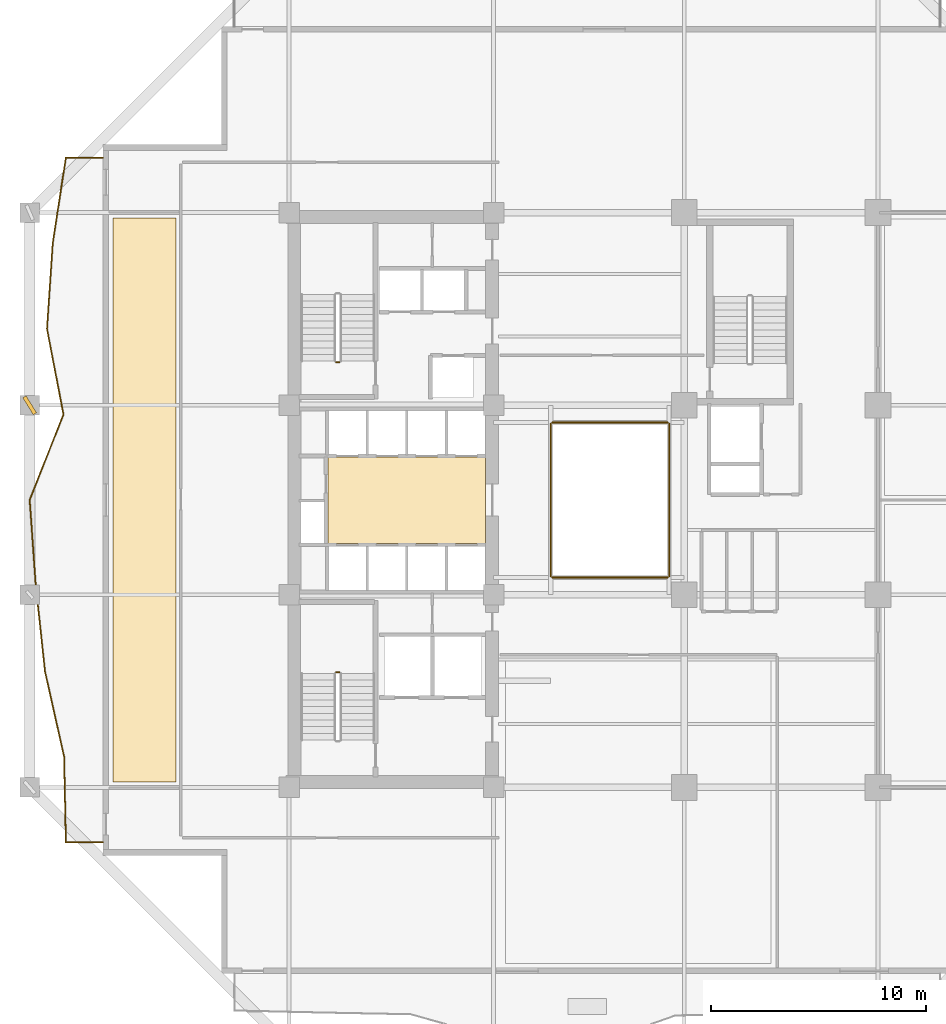
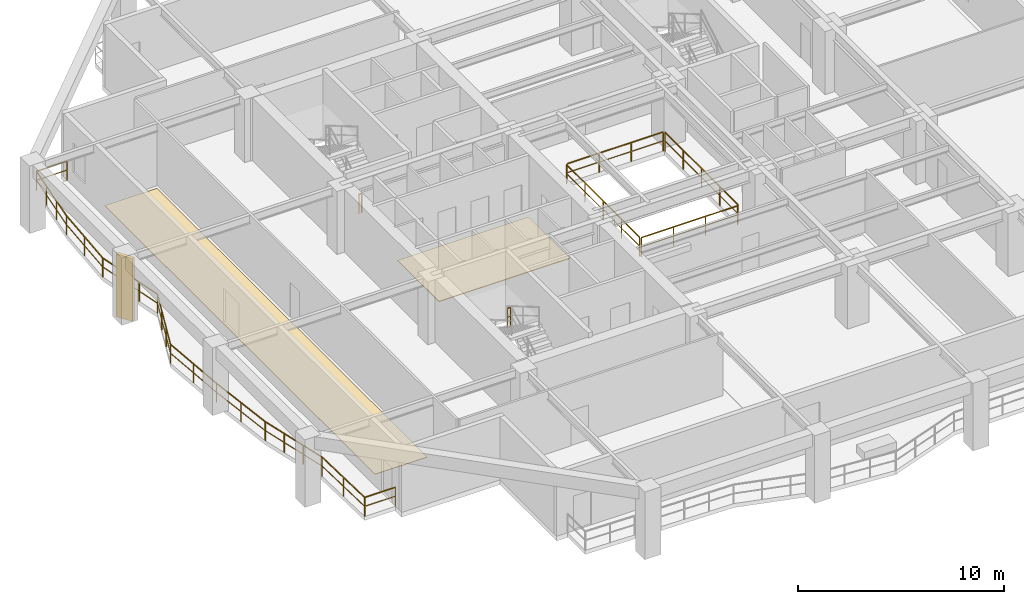
# One storey, part 8 of 13: 7 railings, 2 coverings, 1 shading device.
"""IFC4 building model written with IfcOpenShell, lengths in metres."""

from ifc_helpers import new_model, si_unit, direction, frame, origin, origin_2d, place, context, subcontext, project, spatial, polyline, rectangle, outline, extrude, material, layer, layer_set, type_object, element, save


model = new_model("IFC4")

# Units and contexts
model_context = context("Model", 3, precision=1e-05, world=origin(), true_north=direction((0.0, 1.0)))
body_context = subcontext(model_context, "Body", "Model", "MODEL_VIEW")
ifc_project = project(units=[si_unit("LENGTHUNIT", "METRE"), si_unit("AREAUNIT", "SQUARE_METRE"), si_unit("VOLUMEUNIT", "CUBIC_METRE"), si_unit("PLANEANGLEUNIT", "RADIAN"), si_unit("MASSUNIT", "GRAM", prefix="KILO")], contexts=[model_context])

# Site, building, storey
site_placement = place(None, origin())
site = spatial("IfcSite", under=ifc_project, at=site_placement, CompositionType="ELEMENT")
building_placement = place(site_placement, origin())
building = spatial("IfcBuilding", under=site, at=building_placement, Name="Kundavana Baori Tower", CompositionType="ELEMENT")
storey_placement = place(building_placement, frame((0.0, 0.0, 34.0)))
storey = spatial("IfcBuildingStorey", under=building, at=storey_placement, Name="L07", CompositionType="ELEMENT", Elevation=34.0)

# Coverings
ifc_material_1 = material(Name="Honed Kota Stone and Terrazzo Flooring", Category="masonry")
ifc_layer_1 = layer(ifc_material_1, 0.0400390625, Name="COV-FLR-TERR-40")
ifc_layer_set_1 = layer_set([ifc_layer_1], Name="Honed Kota Stone and Terrazzo Flooring")
covering_type_1 = type_object("IfcCoveringType", Name="COV-FLR-TERR-40", PredefinedType="FLOORING", material=ifc_layer_set_1)
covering_1_placement = place(storey_placement, origin())
element("IfcCovering", 1, at=covering_1_placement, inside=storey, type_object=covering_type_1, Name="L07 Core Lift Lobby Kota Stone Flooring", PredefinedType="FLOORING", context=body_context, shape_type="SweptSolid", body=[
    extrude(outline(polyline([(17.25, 26.580078125), (24.580078125, 26.580078125), (24.580078125, 30.60009765625), (17.25, 30.60009765625), (17.25, 26.580078125)])), origin(), (0.0, 0.0, 1.0), 0.0400390625),
])
ifc_material_2 = material(Name="Honed Kota Stone and Terrazzo Flooring", Category="masonry")
ifc_layer_2 = layer(ifc_material_2, 0.030029296875, Name="COV-INT-FLR")
ifc_layer_set_2 = layer_set([ifc_layer_2], Name="Honed Kota Stone and Terrazzo Flooring")
covering_type_2 = type_object("IfcCoveringType", Name="COV-INT-FLR", PredefinedType="FLOORING", material=ifc_layer_set_2)
covering_2_placement = place(storey_placement, origin())
element("IfcCovering", 2, at=covering_2_placement, inside=storey, type_object=covering_type_2, Name="L07 Room Finished Stone Flooring 1", PredefinedType="FLOORING", context=body_context, shape_type="SweptSolid", body=[
    extrude(outline(polyline([(7.280029296875, 15.5), (10.199951171875, 15.5), (10.199951171875, 41.699951171875), (7.280029296875, 41.699951171875), (7.280029296875, 15.5)])), origin(), (0.0, 0.0, 1.0), 0.030029296875),
])

# Railings
ifc_material_3 = material(Name="Architectural Patinated Bronze Metalwork")
railing_type_1 = type_object("IfcRailingType", Name="RL-BAL-1150", PredefinedType="BALUSTRADE", material=ifc_material_3)
railing_1_placement = place(storey_placement, frame((6.800048828125, 12.699951171875, 0.0)))
element("IfcRailing", 3, at=railing_1_placement, inside=storey, type_object=railing_type_1, Name="L07 Loggia Balcony Balustrade W", PredefinedType="BALUSTRADE", context=body_context, shape_type="SweptSolid", body=[
    extrude(rectangle(XDim=0.048095703125, YDim=0.048095703125, at=origin_2d()), frame((0.0, 0.0, 1.1259765625), z_axis=(-1.0, 0.0, 0.0), x_axis=(0.0, -1.0, 0.0)), (0.0, 0.0, 1.0), 1.719970703125),
    extrude(rectangle(XDim=0.03125, YDim=0.03125, at=origin_2d()), frame((0.0, 0.0, 0.597900390625), z_axis=(-1.0, 0.0, 0.0), x_axis=(0.0, -1.0, 0.0)), (0.0, 0.0, 1.0), 1.719970703125),
    extrude(rectangle(XDim=0.048095703125, YDim=0.048095703125, at=origin_2d()), frame((-1.719970703125, 0.0, 1.1259765625), z_axis=(-0.021122911738, 0.99977688641, 0.0), x_axis=(-0.99977688641, -0.021122911738, 0.0)), (0.0, 0.0, 1.0), 3.97607421875),
    extrude(rectangle(XDim=0.03125, YDim=0.03125, at=origin_2d()), frame((-1.719970703125, 0.0, 0.597900390625), z_axis=(-0.021122911738, 0.99977688641, 0.0), x_axis=(-0.99977688641, -0.021122911738, 0.0)), (0.0, 0.0, 1.0), 3.97607421875),
    extrude(rectangle(XDim=0.048095703125, YDim=0.048095703125, at=origin_2d()), frame((-1.803955078125, 3.97509765625, 1.1259765625), z_axis=(-0.218072752943, 0.975932515302, 0.0), x_axis=(-0.975932515302, -0.218072752943, 0.0)), (0.0, 0.0, 1.0), 4.072998046875),
    extrude(rectangle(XDim=0.03125, YDim=0.03125, at=origin_2d()), frame((-1.803955078125, 3.97509765625, 0.597900390625), z_axis=(-0.218072752943, 0.975932515302, 0.0), x_axis=(-0.975932515302, -0.218072752943, 0.0)), (0.0, 0.0, 1.0), 4.072998046875),
    extrude(rectangle(XDim=0.048095703125, YDim=0.048095703125, at=origin_2d()), frame((-2.692138671875, 7.949951171875, 1.1259765625), z_axis=(-0.106563310947, 0.994305919101, 0.0), x_axis=(-0.994305919101, -0.106563310947, 0.0)), (0.0, 0.0, 1.0), 3.997802734375),
    extrude(rectangle(XDim=0.03125, YDim=0.03125, at=origin_2d()), frame((-2.692138671875, 7.949951171875, 0.597900390625), z_axis=(-0.106563310947, 0.994305919101, 0.0), x_axis=(-0.994305919101, -0.106563310947, 0.0)), (0.0, 0.0, 1.0), 3.997802734375),
    extrude(rectangle(XDim=0.048095703125, YDim=0.048095703125, at=origin_2d()), frame((-3.1181640625, 11.925048828125, 1.1259765625), z_axis=(-0.070759420793, 0.99749341069, 0.0), x_axis=(-0.99749341069, -0.070759420793, 0.0)), (0.0, 0.0, 1.0), 3.985107421875),
    extrude(rectangle(XDim=0.03125, YDim=0.03125, at=origin_2d()), frame((-3.1181640625, 11.925048828125, 0.597900390625), z_axis=(-0.070759420793, 0.99749341069, 0.0), x_axis=(-0.99749341069, -0.070759420793, 0.0)), (0.0, 0.0, 1.0), 3.985107421875),
    extrude(rectangle(XDim=0.048095703125, YDim=0.048095703125, at=origin_2d()), frame((-3.400146484375, 15.900146484375, 1.1259765625), z_axis=(0.366785315707, 0.930305612249, 0.0), x_axis=(-0.930305612249, 0.366785315707, 0.0)), (0.0, 0.0, 1.0), 4.272705078125),
    extrude(rectangle(XDim=0.03125, YDim=0.03125, at=origin_2d()), frame((-3.400146484375, 15.900146484375, 0.597900390625), z_axis=(0.366785315707, 0.930305612249, 0.0), x_axis=(-0.930305612249, 0.366785315707, 0.0)), (0.0, 0.0, 1.0), 4.272705078125),
    extrude(rectangle(XDim=0.048095703125, YDim=0.048095703125, at=origin_2d()), frame((-1.8330078125, 19.875, 1.1259765625), z_axis=(-0.189012922049, 0.981974600129, 0.0), x_axis=(-0.981974600129, -0.189012922049, 0.0)), (0.0, 0.0, 1.0), 4.048095703125),
    extrude(rectangle(XDim=0.03125, YDim=0.03125, at=origin_2d()), frame((-1.8330078125, 19.875, 0.597900390625), z_axis=(-0.189012922049, 0.981974600129, 0.0), x_axis=(-0.981974600129, -0.189012922049, 0.0)), (0.0, 0.0, 1.0), 4.048095703125),
    extrude(rectangle(XDim=0.048095703125, YDim=0.048095703125, at=origin_2d()), frame((-2.59814453125, 23.85009765625, 1.1259765625), z_axis=(0.067043703916, 0.997750039722, 0.0), x_axis=(-0.997750039722, 0.067043703916, 0.0)), (0.0, 0.0, 1.0), 3.98388671875),
    extrude(rectangle(XDim=0.03125, YDim=0.03125, at=origin_2d()), frame((-2.59814453125, 23.85009765625, 0.597900390625), z_axis=(0.067043703916, 0.997750039722, 0.0), x_axis=(-0.997750039722, 0.067043703916, 0.0)), (0.0, 0.0, 1.0), 3.98388671875),
    extrude(rectangle(XDim=0.048095703125, YDim=0.048095703125, at=origin_2d()), frame((-2.3310546875, 27.824951171875, 1.1259765625), z_axis=(0.151943143161, 0.988389235699, 0.0), x_axis=(-0.988389235699, 0.151943143161, 0.0)), (0.0, 0.0, 1.0), 4.021728515625),
    extrude(rectangle(XDim=0.03125, YDim=0.03125, at=origin_2d()), frame((-2.3310546875, 27.824951171875, 0.597900390625), z_axis=(0.151943143161, 0.988389235699, 0.0), x_axis=(-0.988389235699, 0.151943143161, 0.0)), (0.0, 0.0, 1.0), 4.021728515625),
    extrude(rectangle(XDim=0.048095703125, YDim=0.048095703125, at=origin_2d()), frame((-1.719970703125, 31.800048828125, 1.1259765625), z_axis=(1.0, 0.0, 0.0), x_axis=(0.0, 1.0, 0.0)), (0.0, 0.0, 1.0), 1.719970703125),
    extrude(rectangle(XDim=0.03125, YDim=0.03125, at=origin_2d()), frame((-1.719970703125, 31.800048828125, 0.597900390625), z_axis=(1.0, 0.0, 0.0), x_axis=(0.0, 1.0, 0.0)), (0.0, 0.0, 1.0), 1.719970703125),
    extrude(rectangle(XDim=0.0419921875, YDim=0.0419921875, at=origin_2d()), origin(), (0.0, 0.0, 1.0), 1.101806640625),
    extrude(rectangle(XDim=0.0419921875, YDim=0.0419921875, at=origin_2d()), frame((-1.719970703125, 0.0, 0.0)), (0.0, 0.0, 1.0), 1.101806640625),
    extrude(rectangle(XDim=0.0419921875, YDim=0.0419921875, at=origin_2d()), frame((-1.761962890625, 1.987548828125, 0.0)), (0.0, 0.0, 1.0), 1.101806640625),
    extrude(rectangle(XDim=0.0419921875, YDim=0.0419921875, at=origin_2d()), frame((-1.803955078125, 3.97509765625, 0.0)), (0.0, 0.0, 1.0), 1.101806640625),
    extrude(rectangle(XDim=0.0419921875, YDim=0.0419921875, at=origin_2d()), frame((-2.10009765625, 5.300048828125, 0.0)), (0.0, 0.0, 1.0), 1.101806640625),
    extrude(rectangle(XDim=0.0419921875, YDim=0.0419921875, at=origin_2d()), frame((-2.39599609375, 6.625, 0.0)), (0.0, 0.0, 1.0), 1.101806640625),
    extrude(rectangle(XDim=0.0419921875, YDim=0.0419921875, at=origin_2d()), frame((-2.692138671875, 7.949951171875, 0.0)), (0.0, 0.0, 1.0), 1.101806640625),
    extrude(rectangle(XDim=0.0419921875, YDim=0.0419921875, at=origin_2d()), frame((-2.9052734375, 9.9375, 0.0)), (0.0, 0.0, 1.0), 1.101806640625),
    extrude(rectangle(XDim=0.0419921875, YDim=0.0419921875, at=origin_2d()), frame((-3.1181640625, 11.925048828125, 0.0)), (0.0, 0.0, 1.0), 1.101806640625),
    extrude(rectangle(XDim=0.0419921875, YDim=0.0419921875, at=origin_2d()), frame((-3.25927734375, 13.91259765625, 0.0)), (0.0, 0.0, 1.0), 1.101806640625),
    extrude(rectangle(XDim=0.0419921875, YDim=0.0419921875, at=origin_2d()), frame((-3.400146484375, 15.900146484375, 0.0)), (0.0, 0.0, 1.0), 1.101806640625),
    extrude(rectangle(XDim=0.0419921875, YDim=0.0419921875, at=origin_2d()), frame((-2.877685546875, 17.22509765625, 0.0)), (0.0, 0.0, 1.0), 1.101806640625),
    extrude(rectangle(XDim=0.0419921875, YDim=0.0419921875, at=origin_2d()), frame((-2.35546875, 18.550048828125, 0.0)), (0.0, 0.0, 1.0), 1.101806640625),
    extrude(rectangle(XDim=0.0419921875, YDim=0.0419921875, at=origin_2d()), frame((-1.8330078125, 19.875, 0.0)), (0.0, 0.0, 1.0), 1.101806640625),
    extrude(rectangle(XDim=0.0419921875, YDim=0.0419921875, at=origin_2d()), frame((-2.088134765625, 21.199951171875, 0.0)), (0.0, 0.0, 1.0), 1.101806640625),
    extrude(rectangle(XDim=0.0419921875, YDim=0.0419921875, at=origin_2d()), frame((-2.343017578125, 22.525146484375, 0.0)), (0.0, 0.0, 1.0), 1.101806640625),
    extrude(rectangle(XDim=0.0419921875, YDim=0.0419921875, at=origin_2d()), frame((-2.59814453125, 23.85009765625, 0.0)), (0.0, 0.0, 1.0), 1.101806640625),
    extrude(rectangle(XDim=0.0419921875, YDim=0.0419921875, at=origin_2d()), frame((-2.464599609375, 25.83740234375, 0.0)), (0.0, 0.0, 1.0), 1.101806640625),
    extrude(rectangle(XDim=0.0419921875, YDim=0.0419921875, at=origin_2d()), frame((-2.3310546875, 27.824951171875, 0.0)), (0.0, 0.0, 1.0), 1.101806640625),
    extrude(rectangle(XDim=0.0419921875, YDim=0.0419921875, at=origin_2d()), frame((-2.12744140625, 29.14990234375, 0.0)), (0.0, 0.0, 1.0), 1.101806640625),
    extrude(rectangle(XDim=0.0419921875, YDim=0.0419921875, at=origin_2d()), frame((-1.923583984375, 30.47509765625, 0.0)), (0.0, 0.0, 1.0), 1.101806640625),
    extrude(rectangle(XDim=0.0419921875, YDim=0.0419921875, at=origin_2d()), frame((-1.719970703125, 31.800048828125, 0.0)), (0.0, 0.0, 1.0), 1.101806640625),
    extrude(rectangle(XDim=0.0419921875, YDim=0.0419921875, at=origin_2d()), frame((0.0, 31.800048828125, 0.0)), (0.0, 0.0, 1.0), 1.101806640625),
])
ifc_material_4 = material(Name="Architectural Patinated Bronze Metalwork")
railing_type_2 = type_object("IfcRailingType", Name="RL-GRD-1150", PredefinedType="GUARDRAIL", material=ifc_material_4)
for number, where, name in (
    (4, (17.7900390625, 20.60009765625, 2.0), "L07 ST1 stair guard 2"),
    (5, (17.7900390625, 35.0, 0.0), "L07 ST2 stair guard 4"),
):
    element("IfcRailing", number, at=place(storey_placement, frame(where)), inside=storey, type_object=railing_type_2, Name=name, PredefinedType="GUARDRAIL", context=body_context, shape_type="SweptSolid", body=[
        extrude(rectangle(XDim=0.048095703125, YDim=0.048095703125, at=origin_2d()), frame((0.0, 0.0, 1.1259765625), z_axis=(-1.0, 0.0, 0.0), x_axis=(0.0, -1.0, 0.0)), (0.0, 0.0, 1.0), 0.16015625),
        extrude(rectangle(XDim=0.03125, YDim=0.03125, at=origin_2d()), frame((0.0, 0.0, 0.597900390625), z_axis=(-1.0, 0.0, 0.0), x_axis=(0.0, -1.0, 0.0)), (0.0, 0.0, 1.0), 0.16015625),
        extrude(rectangle(XDim=0.0419921875, YDim=0.0419921875, at=origin_2d()), origin(), (0.0, 0.0, 1.0), 1.101806640625),
        extrude(rectangle(XDim=0.0419921875, YDim=0.0419921875, at=origin_2d()), frame((-0.16015625, 0.0, 0.0)), (0.0, 0.0, 1.0), 1.101806640625),
    ])
railing_2_placement = place(storey_placement, frame((27.659912109375, 25.0, 0.0)))
element("IfcRailing", 6, at=railing_2_placement, inside=storey, type_object=railing_type_2, Name="L07 Atrium Void Perimeter Guardrail S", PredefinedType="GUARDRAIL", context=body_context, shape_type="SweptSolid", body=[
    extrude(rectangle(XDim=0.048095703125, YDim=0.048095703125, at=origin_2d()), frame((0.0, 0.0, 1.1259765625), z_axis=(1.0, 0.0, 0.0), x_axis=(0.0, 1.0, 0.0)), (0.0, 0.0, 1.0), 5.380126953125),
    extrude(rectangle(XDim=0.03125, YDim=0.03125, at=origin_2d()), frame((0.0, 0.0, 0.597900390625), z_axis=(1.0, 0.0, 0.0), x_axis=(0.0, 1.0, 0.0)), (0.0, 0.0, 1.0), 5.380126953125),
    extrude(rectangle(XDim=0.0419921875, YDim=0.0419921875, at=origin_2d()), origin(), (0.0, 0.0, 1.0), 1.101806640625),
    extrude(rectangle(XDim=0.0419921875, YDim=0.0419921875, at=origin_2d()), frame((1.79345703125, 0.0, 0.0)), (0.0, 0.0, 1.0), 1.101806640625),
    extrude(rectangle(XDim=0.0419921875, YDim=0.0419921875, at=origin_2d()), frame((3.586669921875, 0.0, 0.0)), (0.0, 0.0, 1.0), 1.101806640625),
    extrude(rectangle(XDim=0.0419921875, YDim=0.0419921875, at=origin_2d()), frame((5.380126953125, 0.0, 0.0)), (0.0, 0.0, 1.0), 1.101806640625),
])
railing_3_placement = place(storey_placement, frame((33.10009765625, 25.06005859375, 0.0)))
element("IfcRailing", 7, at=railing_3_placement, inside=storey, type_object=railing_type_2, Name="L07 Atrium Void Perimeter Guardrail E", PredefinedType="GUARDRAIL", context=body_context, shape_type="SweptSolid", body=[
    extrude(rectangle(XDim=0.048095703125, YDim=0.048095703125, at=origin_2d()), frame((0.0, 0.0, 1.1259765625), z_axis=(0.0, 1.0, 0.0), x_axis=(-1.0, 0.0, 0.0)), (0.0, 0.0, 1.0), 7.079833984375),
    extrude(rectangle(XDim=0.03125, YDim=0.03125, at=origin_2d()), frame((0.0, 0.0, 0.597900390625), z_axis=(0.0, 1.0, 0.0), x_axis=(-1.0, 0.0, 0.0)), (0.0, 0.0, 1.0), 7.079833984375),
    extrude(rectangle(XDim=0.0419921875, YDim=0.0419921875, at=origin_2d()), origin(), (0.0, 0.0, 1.0), 1.101806640625),
    extrude(rectangle(XDim=0.0419921875, YDim=0.0419921875, at=origin_2d()), frame((0.0, 1.77001953125, 0.0)), (0.0, 0.0, 1.0), 1.101806640625),
    extrude(rectangle(XDim=0.0419921875, YDim=0.0419921875, at=origin_2d()), frame((0.0, 3.5400390625, 0.0)), (0.0, 0.0, 1.0), 1.101806640625),
    extrude(rectangle(XDim=0.0419921875, YDim=0.0419921875, at=origin_2d()), frame((0.0, 5.309814453125, 0.0)), (0.0, 0.0, 1.0), 1.101806640625),
    extrude(rectangle(XDim=0.0419921875, YDim=0.0419921875, at=origin_2d()), frame((0.0, 7.079833984375, 0.0)), (0.0, 0.0, 1.0), 1.101806640625),
])
railing_4_placement = place(storey_placement, frame((33.0400390625, 32.199951171875, 0.0)))
element("IfcRailing", 8, at=railing_4_placement, inside=storey, type_object=railing_type_2, Name="L07 Atrium Void Perimeter Guardrail N", PredefinedType="GUARDRAIL", context=body_context, shape_type="SweptSolid", body=[
    extrude(rectangle(XDim=0.048095703125, YDim=0.048095703125, at=origin_2d()), frame((0.0, 0.0, 1.1259765625), z_axis=(-1.0, 0.0, 0.0), x_axis=(0.0, -1.0, 0.0)), (0.0, 0.0, 1.0), 5.380126953125),
    extrude(rectangle(XDim=0.03125, YDim=0.03125, at=origin_2d()), frame((0.0, 0.0, 0.597900390625), z_axis=(-1.0, 0.0, 0.0), x_axis=(0.0, -1.0, 0.0)), (0.0, 0.0, 1.0), 5.380126953125),
    extrude(rectangle(XDim=0.0419921875, YDim=0.0419921875, at=origin_2d()), origin(), (0.0, 0.0, 1.0), 1.101806640625),
    extrude(rectangle(XDim=0.0419921875, YDim=0.0419921875, at=origin_2d()), frame((-1.79345703125, 0.0, 0.0)), (0.0, 0.0, 1.0), 1.101806640625),
    extrude(rectangle(XDim=0.0419921875, YDim=0.0419921875, at=origin_2d()), frame((-3.586669921875, 0.0, 0.0)), (0.0, 0.0, 1.0), 1.101806640625),
    extrude(rectangle(XDim=0.0419921875, YDim=0.0419921875, at=origin_2d()), frame((-5.380126953125, 0.0, 0.0)), (0.0, 0.0, 1.0), 1.101806640625),
])
railing_5_placement = place(storey_placement, frame((27.60009765625, 32.139892578125, 0.0)))
element("IfcRailing", 9, at=railing_5_placement, inside=storey, type_object=railing_type_2, Name="L07 Atrium Void Perimeter Guardrail W", PredefinedType="GUARDRAIL", context=body_context, shape_type="SweptSolid", body=[
    extrude(rectangle(XDim=0.048095703125, YDim=0.048095703125, at=origin_2d()), frame((0.0, 0.0, 1.1259765625), z_axis=(0.0, -1.0, 0.0), x_axis=(1.0, 0.0, 0.0)), (0.0, 0.0, 1.0), 7.079833984375),
    extrude(rectangle(XDim=0.03125, YDim=0.03125, at=origin_2d()), frame((0.0, 0.0, 0.597900390625), z_axis=(0.0, -1.0, 0.0), x_axis=(1.0, 0.0, 0.0)), (0.0, 0.0, 1.0), 7.079833984375),
    extrude(rectangle(XDim=0.0419921875, YDim=0.0419921875, at=origin_2d()), origin(), (0.0, 0.0, 1.0), 1.101806640625),
    extrude(rectangle(XDim=0.0419921875, YDim=0.0419921875, at=origin_2d()), frame((0.0, -1.77001953125, 0.0)), (0.0, 0.0, 1.0), 1.101806640625),
    extrude(rectangle(XDim=0.0419921875, YDim=0.0419921875, at=origin_2d()), frame((0.0, -3.5400390625, 0.0)), (0.0, 0.0, 1.0), 1.101806640625),
    extrude(rectangle(XDim=0.0419921875, YDim=0.0419921875, at=origin_2d()), frame((0.0, -5.309814453125, 0.0)), (0.0, 0.0, 1.0), 1.101806640625),
    extrude(rectangle(XDim=0.0419921875, YDim=0.0419921875, at=origin_2d()), frame((0.0, -7.079833984375, 0.0)), (0.0, 0.0, 1.0), 1.101806640625),
])

# Shading device
ifc_material_5 = material(Name="Red-Buff Dholpur Sandstone Cladding on Concrete C40/50", Category="masonry")
shading_device_type = type_object("IfcShadingDeviceType", Name="SHD-FIN-920", PredefinedType="JALOUSIE", material=ifc_material_5)
shading_device_placement = place(storey_placement, frame((3.39990234375, 33.0, 0.0), z_axis=(0.0, 0.0, 1.0), x_axis=(0.850352224996, 0.526213923652, 0.0)))
element("IfcShadingDevice", 10, at=shading_device_placement, inside=storey, type_object=shading_device_type, Name="L07 Sweeping Dholpur Sandstone Facade Fin 7", PredefinedType="JALOUSIE", context=body_context, shape_type="SweptSolid", body=[
    extrude(rectangle(XDim=0.179931640625, YDim=0.919921875, at=origin_2d()), origin(), (0.0, 0.0, 1.0), 3.719970703125),
])

save(model, "model.ifc")
